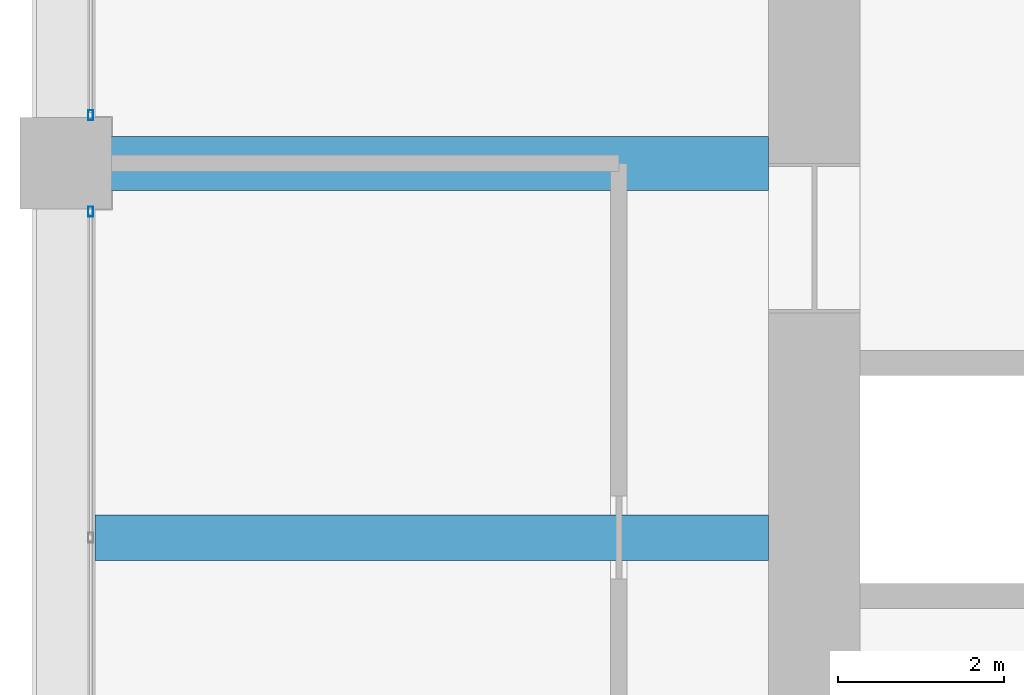
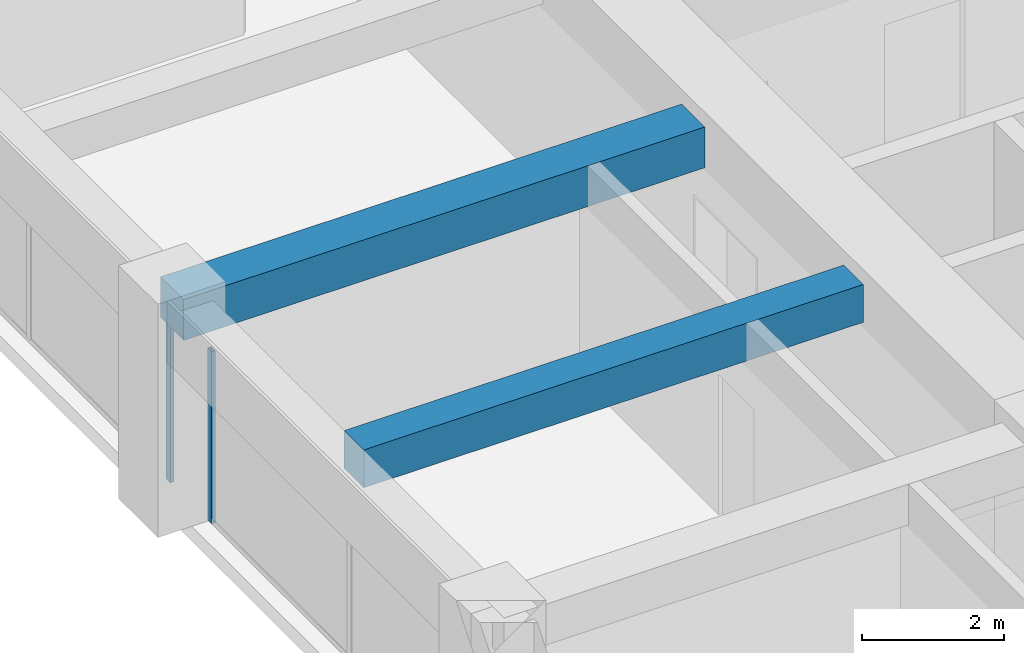
# One storey, part 15 of 44: 2 beams, 2 members, 2 elements without a shape of their own.
"""IFC4 building model written with IfcOpenShell, lengths in metres."""

import ifcopenshell
import ifcopenshell.guid

model = None  # the IFC model being written
_history = None  # IfcOwnerHistory: only IFC2X3 demands one
_inside = {}  # id of a spatial element -> (the spatial element, [elements in it])
_under = {}  # id of a project, library or spatial element -> (it, [spatial elements below it])
_declared = {}  # id of a project -> (the project, [libraries it declares])
_typed = {}  # id of a type object -> (the type object, [elements of that type])
_made_of = {}  # id of a material, layer set ... -> (it, [elements and type objects made of it])


def new_model(schema):
    """Start an empty IFC model of exactly this schema.

    Asked for "IFC4X3", IfcOpenShell would pick the latest addendum, in which some entities
    have other attributes; the version numbers below select the first issue.
    IFC2X3 requires an IfcOwnerHistory on every rooted entity: one is made here for all.
    """
    global model, _history
    if schema == "IFC4X3":
        model = ifcopenshell.file(schema_version=(4, 3, 0, 0))
    else:
        model = ifcopenshell.file(schema=schema)
    _inside.clear()
    _under.clear()
    _declared.clear()
    _typed.clear()
    _made_of.clear()
    _history = None
    if model.schema == "IFC2X3":
        org = make("IfcOrganization", Name="unknown")
        user = make(
            "IfcPersonAndOrganization",
            ThePerson=make("IfcPerson", FamilyName="unknown"),
            TheOrganization=org,
        )
        app = make(
            "IfcApplication",
            ApplicationDeveloper=org,
            Version="unknown",
            ApplicationFullName="unknown",
            ApplicationIdentifier="unknown",
        )
        _history = make(
            "IfcOwnerHistory",
            OwningUser=user,
            OwningApplication=app,
            ChangeAction="ADDED",
            CreationDate=0,
        )
    return model


def make(cls, **values):
    """One entity of the class cls with the attributes given. An attribute that is None is left unset."""
    return model.create_entity(
        cls, **{name: value for name, value in values.items() if value is not None}
    )


def rooted(cls, **values):
    """An entity with a GlobalId (a new one), such as an element, a storey or a relation."""
    return make(cls, GlobalId=ifcopenshell.guid.new(), OwnerHistory=_history, **values)


def si_unit(unit_type, name, prefix=None):
    """IfcSIUnit, for example si_unit("LENGTHUNIT", "METRE", prefix="MILLI")."""
    return make("IfcSIUnit", UnitType=unit_type, Prefix=prefix, Name=name)


def assignment(units):
    """IfcUnitAssignment: the units of a project."""
    return None if units is None else make("IfcUnitAssignment", Units=units)


def point(xyz):
    """IfcCartesianPoint."""
    return None if xyz is None else make("IfcCartesianPoint", Coordinates=xyz)


def direction(xyz):
    """IfcDirection."""
    return None if xyz is None else make("IfcDirection", DirectionRatios=xyz)


def frame(location, z_axis=None, x_axis=None):
    """IfcAxis2Placement3D, a coordinate frame: its origin and axes. An axis left out is left unset."""
    return make(
        "IfcAxis2Placement3D",
        Location=point(location),
        Axis=direction(z_axis),
        RefDirection=direction(x_axis),
    )


def frame_2d(location, x_axis=None):
    """IfcAxis2Placement2D, a coordinate frame in the plane: its origin and x axis."""
    return make(
        "IfcAxis2Placement2D", Location=point(location), RefDirection=direction(x_axis)
    )


def origin():
    """The frame at (0, 0, 0) with its axes left unset."""
    return frame((0.0, 0.0, 0.0))


def origin_2d():
    """The frame at (0, 0) in the plane with its x axis left unset."""
    return frame_2d((0.0, 0.0))


def place(relative_to, where):
    """IfcLocalPlacement: puts the frame where relative to a parent placement (None: the world)."""
    return make(
        "IfcLocalPlacement", PlacementRelTo=relative_to, RelativePlacement=where
    )


def context(
    kind, dimensions, precision=None, world=None, true_north=None, identifier=None
):
    """IfcGeometricRepresentationContext, for example the 3D "Model" context."""
    return make(
        "IfcGeometricRepresentationContext",
        ContextIdentifier=identifier,
        ContextType=kind,
        CoordinateSpaceDimension=dimensions,
        Precision=precision,
        WorldCoordinateSystem=world,
        TrueNorth=true_north,
    )


def subcontext(parent, identifier, kind, view, scale=None):
    """IfcGeometricRepresentationSubContext, for example "Body" below "Model"."""
    return make(
        "IfcGeometricRepresentationSubContext",
        ContextIdentifier=identifier,
        ContextType=kind,
        ParentContext=parent,
        TargetScale=scale,
        TargetView=view,
    )


def project(units=None, contexts=None):
    """IfcProject with its units and contexts."""
    return rooted(
        "IfcProject",
        Name="project",
        RepresentationContexts=contexts,
        UnitsInContext=assignment(units),
    )


def spatial(cls, under=None, at=None, **own):
    """A site, building, storey or space (cls), placed at a placement, below another one or the project."""
    s = rooted(cls, ObjectPlacement=at, **own)
    if under is not None:
        _under.setdefault(under.id(), (under, []))[1].append(s)
    return s


def profile(cls, at=None, kind="AREA", **sizes):
    """A parametric profile (cls). Its sizes go by their IFC names, for example OverallWidth=200.0."""
    return make(cls, ProfileType=kind, Position=at, **sizes)


def rectangle(**sizes):
    """IfcRectangleProfileDef."""
    return profile("IfcRectangleProfileDef", **sizes)


def hollow_rectangle(**sizes):
    """IfcRectangleHollowProfileDef."""
    return profile("IfcRectangleHollowProfileDef", **sizes)


def extrude(swept, where, along, depth):
    """IfcExtrudedAreaSolid: the profile swept, set in the frame where, extruded along a direction by depth."""
    return make(
        "IfcExtrudedAreaSolid",
        SweptArea=swept,
        Position=where,
        ExtrudedDirection=direction(along),
        Depth=depth,
    )


def shape(context_of_items, identifier, shape_type, items):
    """IfcShapeRepresentation: the items that make up one representation, for example the "Body"."""
    return make(
        "IfcShapeRepresentation",
        ContextOfItems=context_of_items,
        RepresentationIdentifier=identifier,
        RepresentationType=shape_type,
        Items=items,
    )


def material(Name=None, Category=None):
    """IfcMaterial."""
    return make("IfcMaterial", Name=Name, Category=Category)


def material_profile(
    of_material, cross_section, Name=None, Category=None, Priority=None
):
    """IfcMaterialProfile: a cross section and its material."""
    return make(
        "IfcMaterialProfile",
        Name=Name,
        Material=of_material,
        Profile=cross_section,
        Priority=Priority,
        Category=Category,
    )


def profile_set(profiles, Name=None, composite=None):
    """IfcMaterialProfileSet."""
    return make(
        "IfcMaterialProfileSet",
        Name=Name,
        MaterialProfiles=profiles,
        CompositeProfile=composite,
    )


def made_of(thing, what):
    """Note that an element or type object is made of a material, layer set ...; save() writes the relation."""
    if what is not None:
        _made_of.setdefault(what.id(), (what, []))[1].append(thing)
    return thing


def type_object(cls, material=None, **own):
    """A type object (cls), such as IfcWallType, which elements share."""
    return made_of(rooted(cls, **own), material)


def element(
    cls,
    number,
    at=None,
    inside=None,
    cuts=None,
    type_object=None,
    material=None,
    context=None,
    identifier="Body",
    shape_type=None,
    held_by="IfcProductDefinitionShape",
    body=None,
    shapes=None,
    **own,
):
    """One element of the class cls, such as IfcWall. Its Tag is "e" and its number.

    at: its placement. inside: the storey or other place that contains it. cuts: it is an
    opening in that element (IfcRelVoidsElement). A single representation is given by context,
    identifier, shape_type and body (its items); several are given by shapes. held_by: the class
    of the entity that holds the representations. save() writes the other relations.
    """
    e = rooted(cls, Tag="e%d" % number, ObjectPlacement=at, **own)
    if body is not None:
        shapes = [shape(context, identifier, shape_type, body)]
    if shapes is not None:
        e.Representation = make(held_by, Representations=shapes)
    if inside is not None:
        _inside.setdefault(inside.id(), (inside, []))[1].append(e)
    if cuts is not None:
        rooted(
            "IfcRelVoidsElement", RelatingBuildingElement=cuts, RelatedOpeningElement=e
        )
    if type_object is not None:
        _typed.setdefault(type_object.id(), (type_object, []))[1].append(e)
    return made_of(e, material)


def aggregate(whole, parts):
    """IfcRelAggregates: a whole, such as a stair, and the parts it consists of."""
    return rooted("IfcRelAggregates", RelatingObject=whole, RelatedObjects=parts)


def save(model, path):
    """Write the relations noted so far, then the file.

    IfcRelAggregates (storeys below a building ...), IfcRelContainedInSpatialStructure (elements
    in a storey), IfcRelDefinesByType, IfcRelAssociatesMaterial and IfcRelDeclares: one each for
    every whole, place, type object, material and project.
    """
    for whole, parts in _under.values():
        aggregate(whole, parts)
    for where, things in _inside.values():
        rooted(
            "IfcRelContainedInSpatialStructure",
            RelatedElements=things,
            RelatingStructure=where,
        )
    for kind, things in _typed.values():
        rooted("IfcRelDefinesByType", RelatedObjects=things, RelatingType=kind)
    for what, things in _made_of.values():
        rooted("IfcRelAssociatesMaterial", RelatedObjects=things, RelatingMaterial=what)
    for by, libraries in _declared.values():
        rooted("IfcRelDeclares", RelatingContext=by, RelatedDefinitions=libraries)
    model.write(path)


model = new_model("IFC4")

# Units and contexts
model_context = context("Model", 3, precision=1e-05, world=origin(), true_north=direction((0.0, 1.0)))
body_context = subcontext(model_context, "Body", "Model", "MODEL_VIEW")
ifc_project = project(units=[si_unit("LENGTHUNIT", "METRE"), si_unit("AREAUNIT", "SQUARE_METRE"), si_unit("VOLUMEUNIT", "CUBIC_METRE"), si_unit("PLANEANGLEUNIT", "RADIAN"), si_unit("MASSUNIT", "GRAM", prefix="KILO")], contexts=[model_context])

# Site, building, storey
site_placement = place(None, origin())
site = spatial("IfcSite", under=ifc_project, at=site_placement, CompositionType="ELEMENT")
building_placement = place(site_placement, origin())
building = spatial("IfcBuilding", under=site, at=building_placement, Name="Zorevar Civic Tower", CompositionType="ELEMENT")
storey_placement = place(building_placement, frame((0.0, 0.0, 267.39990234375)))
storey = spatial("IfcBuildingStorey", under=building, at=storey_placement, Name="L65", CompositionType="ELEMENT", Elevation=267.39990234375)

# Beams
ifc_material_1 = material(Name="Concrete C50/60", Category="concrete")
ifc_material_profile_1 = material_profile(ifc_material_1, rectangle(XDim=0.550048828125, YDim=0.64990234375, at=origin_2d()), Name="RC 550x650")
ifc_profile_set_1 = profile_set([ifc_material_profile_1], Name="Concrete C50/60")
beam_type_1 = type_object("IfcBeamType", Name="Beam RC 550x650", PredefinedType="BEAM", material=ifc_profile_set_1)
beam_1_placement = place(storey_placement, frame((9.35009765625, 22.5, 3.425048828125), z_axis=(1.0, 0.0, 0.0), x_axis=(0.0, 1.0, 0.0)))
element("IfcBeam", 1, at=beam_1_placement, inside=storey, type_object=beam_type_1, Name="Secondary beam L66", PredefinedType="BEAM", context=body_context, shape_type="SweptSolid", body=[
    extrude(rectangle(XDim=0.550048828125, YDim=0.64990234375, at=origin_2d()), origin(), (0.0, 0.0, 1.0), 8.099853515625),
])
ifc_material_2 = material(Name="Concrete C50/60", Category="concrete")
ifc_material_profile_2 = material_profile(ifc_material_2, rectangle(XDim=0.64990234375, YDim=0.699951171875, at=origin_2d()), Name="RC 650x700")
ifc_profile_set_2 = profile_set([ifc_material_profile_2], Name="Concrete C50/60")
beam_type_2 = type_object("IfcBeamType", Name="Beam RC 650x700", PredefinedType="BEAM", material=ifc_profile_set_2)
beam_2_placement = place(storey_placement, frame((9.0, 27.0, 3.400146484375), z_axis=(1.0, 0.0, 0.0), x_axis=(0.0, 1.0, 0.0)))
element("IfcBeam", 2, at=beam_2_placement, inside=storey, type_object=beam_type_2, Name="Girder L66", PredefinedType="BEAM", context=body_context, shape_type="SweptSolid", body=[
    extrude(rectangle(XDim=0.64990234375, YDim=0.699951171875, at=origin_2d()), origin(), (0.0, 0.0, 1.0), 8.449951171875),
])

# Curtain wall, member
ifc_material_3 = material(Name="Dark grey solar-control glass in black aluminium frame", Category="aluminium")
curtain_wall_type = type_object("IfcCurtainWallType", Name="Curtain wall CW5 top zone", PredefinedType="NOTDEFINED", material=ifc_material_3)
curtain_wall_1_placement = place(storey_placement, origin())
curtain_wall_1 = element("IfcCurtainWall", 3, at=curtain_wall_1_placement, inside=storey, type_object=curtain_wall_type, Name="CW5 L65", PredefinedType="NOTDEFINED")
ifc_material_4 = material(Name="Aluminium, black anodised", Category="aluminium")
ifc_material_profile_3 = material_profile(ifc_material_4, hollow_rectangle(XDim=0.06005859375, YDim=0.1201171875, WallThickness=0.0029296875, at=origin_2d()), Name="AL 120x60x3")
ifc_profile_set_3 = profile_set([ifc_material_profile_3], Name="Aluminium, black anodised")
member_type = type_object("IfcMemberType", Name="CW5 mullion AL 120x60x3", PredefinedType="MULLION", material=ifc_profile_set_3)
member_1_placement = place(storey_placement, frame((9.300048828125, 26.419921875, 0.0), z_axis=(0.0, 0.0, 1.0), x_axis=(-1.0, 0.0, 0.0)))
member_1 = element("IfcMember", 4, at=member_1_placement, type_object=member_type, Name="CW5 mullion 3", PredefinedType="MULLION", context=body_context, shape_type="SweptSolid", body=[
    extrude(hollow_rectangle(XDim=0.06005859375, YDim=0.1201171875, WallThickness=0.0029296875, at=origin_2d()), origin(), (0.0, 0.0, 1.0), 2.9501953125),
])
aggregate(curtain_wall_1, [member_1])

curtain_wall_2_placement = place(storey_placement, origin())
curtain_wall_2 = element("IfcCurtainWall", 5, at=curtain_wall_2_placement, inside=storey, type_object=curtain_wall_type, Name="CW5 L65", PredefinedType="NOTDEFINED")
member_2_placement = place(storey_placement, frame((9.300048828125, 27.580078125, 0.0), z_axis=(0.0, 0.0, 1.0), x_axis=(-1.0, 0.0, 0.0)))
member_2 = element("IfcMember", 6, at=member_2_placement, type_object=member_type, Name="CW5 mullion 1", PredefinedType="MULLION", context=body_context, shape_type="SweptSolid", body=[
    extrude(hollow_rectangle(XDim=0.06005859375, YDim=0.1201171875, WallThickness=0.0029296875, at=origin_2d()), origin(), (0.0, 0.0, 1.0), 2.9501953125),
])
aggregate(curtain_wall_2, [member_2])

save(model, "model.ifc")
